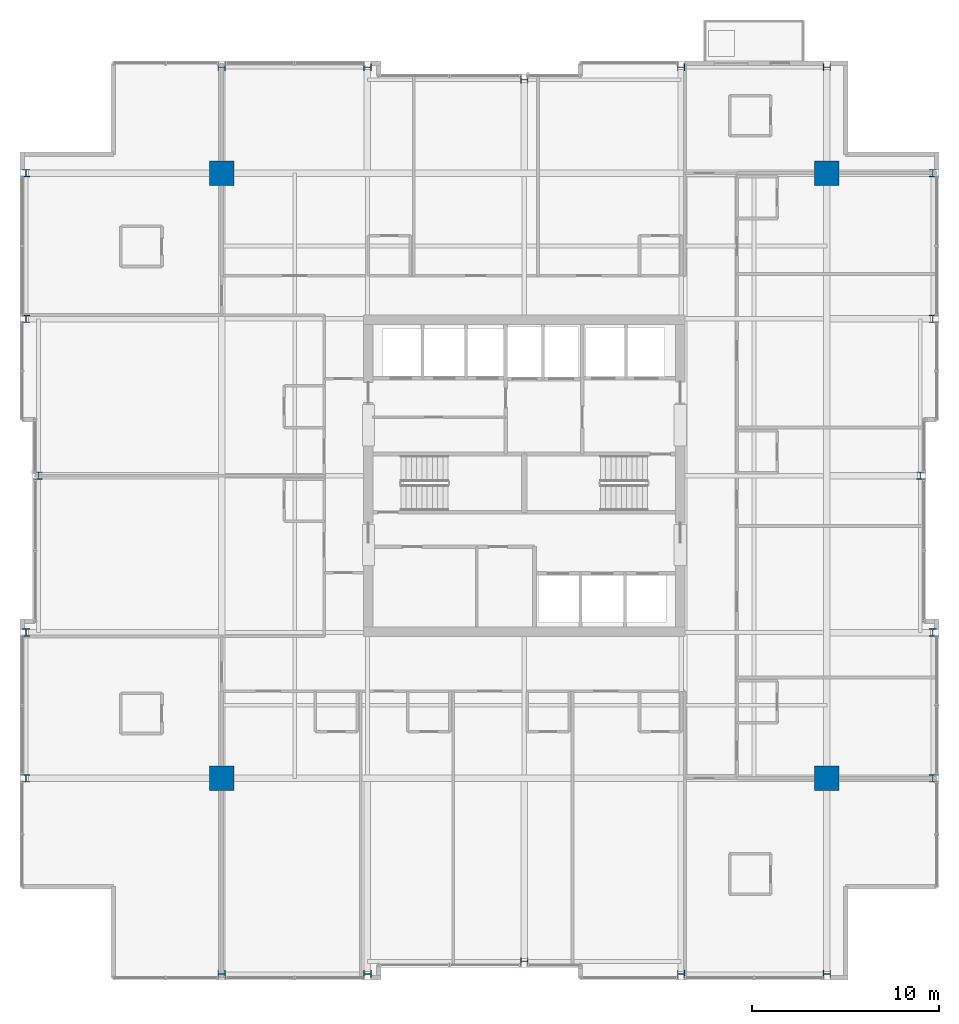
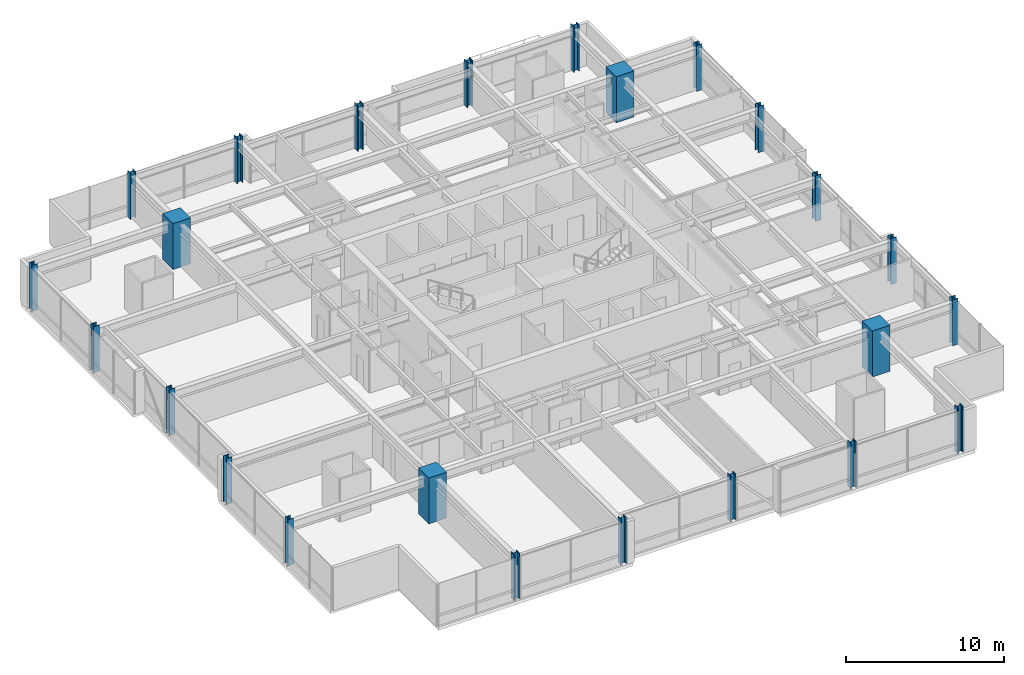
# One storey, part 1 of 34: 24 columns.
"""IFC4 building model written with IfcOpenShell, lengths in metres."""

from ifc_helpers import new_model, si_unit, direction, frame, origin, origin_2d, place, context, subcontext, project, spatial, rectangle, i_section, extrude, material, material_profile, profile_set, type_object, element, save


model = new_model("IFC4")

# Units and contexts
model_context = context("Model", 3, precision=1e-05, world=origin(), true_north=direction((0.0, 1.0)))
body_context = subcontext(model_context, "Body", "Model", "MODEL_VIEW")
ifc_project = project(units=[si_unit("LENGTHUNIT", "METRE"), si_unit("AREAUNIT", "SQUARE_METRE"), si_unit("VOLUMEUNIT", "CUBIC_METRE"), si_unit("PLANEANGLEUNIT", "RADIAN"), si_unit("MASSUNIT", "GRAM", prefix="KILO")], contexts=[model_context])

# Site, building, storey
site_placement = place(None, origin())
site = spatial("IfcSite", under=ifc_project, at=site_placement, CompositionType="ELEMENT")
building_placement = place(site_placement, origin())
building = spatial("IfcBuilding", under=site, at=building_placement, Name="Drelvath Grand Hotel", CompositionType="ELEMENT")
storey_placement = place(building_placement, frame((0.0, 0.0, 175.25)))
storey = spatial("IfcBuildingStorey", under=building, at=storey_placement, Name="L45", CompositionType="ELEMENT", Elevation=175.25)

# Columns
ifc_material_1 = material(Name="Concrete f'c 55 MPa", Category="concrete")
ifc_material_profile_1 = material_profile(ifc_material_1, rectangle(XDim=1.300048828125, YDim=1.300048828125, at=origin_2d()), Name="MC1300X1300")
ifc_profile_set_1 = profile_set([ifc_material_profile_1], Name="Concrete f'c 55 MPa")
column_type_1 = type_object("IfcColumnType", Name="Composite Mega Column MC1300X1300", PredefinedType="COLUMN", material=ifc_profile_set_1)
for number, where, z_axis, x_axis, name in (
    (1, (-16.199951171875, 10.800048828125, 0.0), (0.0, 0.0, 1.0), (1.0, 0.0, 0.0), "L45 Composite Mega Column MC-SW"),
    (2, (16.199951171875, 10.800048828125, 0.0), (0.0, 0.0, 1.0), (1.0, 0.0, 0.0), "L45 Composite Mega Column MC-SE"),
    (3, (-16.199951171875, 43.199951171875, 0.0), (0.0, 0.0, 1.0), (1.0, 0.0, 0.0), "L45 Composite Mega Column MC-NW"),
    (4, (16.199951171875, 43.199951171875, 0.0), (0.0, 0.0, 1.0), (1.0, 0.0, 0.0), "L45 Composite Mega Column MC-NE"),
):
    element("IfcColumn", number, at=place(storey_placement, frame(where, z_axis=z_axis, x_axis=x_axis)), inside=storey, type_object=column_type_1, Name=name, PredefinedType="COLUMN", context=body_context, shape_type="SweptSolid", body=[
        extrude(rectangle(XDim=1.300048828125, YDim=1.300048828125, at=origin_2d()), origin(), (0.0, 0.0, 1.0), 3.550048828125),
    ])
ifc_material_2 = material(Name="Steel ASTM A913 Gr 65", Category="steel")
ifc_material_profile_2 = material_profile(ifc_material_2, i_section(OverallWidth=0.40625, OverallDepth=0.416015625, WebThickness=0.02978515625, FlangeThickness=0.048095703125, FilletRadius=0.028076171875, at=origin_2d()), Name="W14X257")
ifc_profile_set_2 = profile_set([ifc_material_profile_2], Name="Steel ASTM A913 Gr 65")
column_type_2 = type_object("IfcColumnType", Name="Perimeter Steel Column W14X257", PredefinedType="COLUMN", material=ifc_profile_set_2)
for number, where, z_axis, x_axis, name in (
    (5, (-26.679931640625, 10.800048828125, 0.0), (0.0, 0.0, 1.0), (1.0, 0.0, 0.0), "L45 Structural Column TCW-C"),
    (6, (21.8798828125, 10.800048828125, 0.0), (0.0, 0.0, 1.0), (1.0, 0.0, 0.0), "L45 Structural Column TCE-C"),
    (7, (-26.679931640625, 18.60009765625, 0.0), (0.0, 0.0, 1.0), (1.0, 0.0, 0.0), "L45 Structural Column TCW-D"),
    (8, (21.8798828125, 18.60009765625, 0.0), (0.0, 0.0, 1.0), (1.0, 0.0, 0.0), "L45 Structural Column TCE-D"),
    (9, (-26.0, 27.0, 0.0), (0.0, 0.0, 1.0), (1.0, 0.0, 0.0), "L45 Structural Column TCW-E"),
    (10, (21.199951171875, 27.0, 0.0), (0.0, 0.0, 1.0), (1.0, 0.0, 0.0), "L45 Structural Column TCE-E"),
    (11, (-26.679931640625, 35.39990234375, 0.0), (0.0, 0.0, 1.0), (1.0, 0.0, 0.0), "L45 Structural Column TCW-F"),
    (12, (21.8798828125, 35.39990234375, 0.0), (0.0, 0.0, 1.0), (1.0, 0.0, 0.0), "L45 Structural Column TCE-F"),
    (13, (-26.679931640625, 43.199951171875, 0.0), (0.0, 0.0, 1.0), (1.0, 0.0, 0.0), "L45 Structural Column TCW-G"),
    (14, (21.8798828125, 43.199951171875, 0.0), (0.0, 0.0, 1.0), (1.0, 0.0, 0.0), "L45 Structural Column TCE-G"),
    (15, (-16.199951171875, 0.320068359375, 0.0), (0.0, 0.0, 1.0), (0.0, 1.0, 0.0), "L45 Structural Column TCS-3"),
    (16, (-16.199951171875, 48.8798828125, 0.0), (0.0, 0.0, 1.0), (0.0, 1.0, 0.0), "L45 Structural Column TCN-3"),
    (17, (-8.39990234375, 0.320068359375, 0.0), (0.0, 0.0, 1.0), (0.0, 1.0, 0.0), "L45 Structural Column TCS-4"),
    (18, (-8.39990234375, 48.8798828125, 0.0), (0.0, 0.0, 1.0), (0.0, 1.0, 0.0), "L45 Structural Column TCN-4"),
    (19, (0.0, 1.0, 0.0), (0.0, 0.0, 1.0), (0.0, 1.0, 0.0), "L45 Structural Column TCS-5"),
    (20, (0.0, 48.199951171875, 0.0), (0.0, 0.0, 1.0), (0.0, 1.0, 0.0), "L45 Structural Column TCN-5"),
    (21, (8.39990234375, 0.320068359375, 0.0), (0.0, 0.0, 1.0), (0.0, 1.0, 0.0), "L45 Structural Column TCS-6"),
    (22, (8.39990234375, 48.8798828125, 0.0), (0.0, 0.0, 1.0), (0.0, 1.0, 0.0), "L45 Structural Column TCN-6"),
    (23, (16.199951171875, 0.320068359375, 0.0), (0.0, 0.0, 1.0), (0.0, 1.0, 0.0), "L45 Structural Column TCS-7"),
    (24, (16.199951171875, 48.8798828125, 0.0), (0.0, 0.0, 1.0), (0.0, 1.0, 0.0), "L45 Structural Column TCN-7"),
):
    element("IfcColumn", number, at=place(storey_placement, frame(where, z_axis=z_axis, x_axis=x_axis)), inside=storey, type_object=column_type_2, Name=name, PredefinedType="COLUMN", context=body_context, shape_type="SweptSolid", body=[
        extrude(i_section(OverallWidth=0.40625, OverallDepth=0.416015625, WebThickness=0.02978515625, FlangeThickness=0.048095703125, FilletRadius=0.028076171875, at=origin_2d()), origin(), (0.0, 0.0, 1.0), 3.547119140625),
    ])

save(model, "model.ifc")
